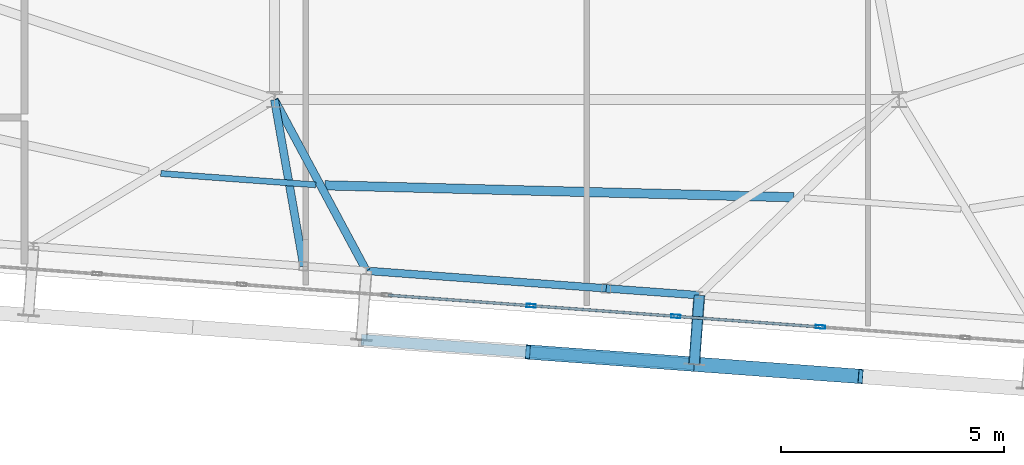
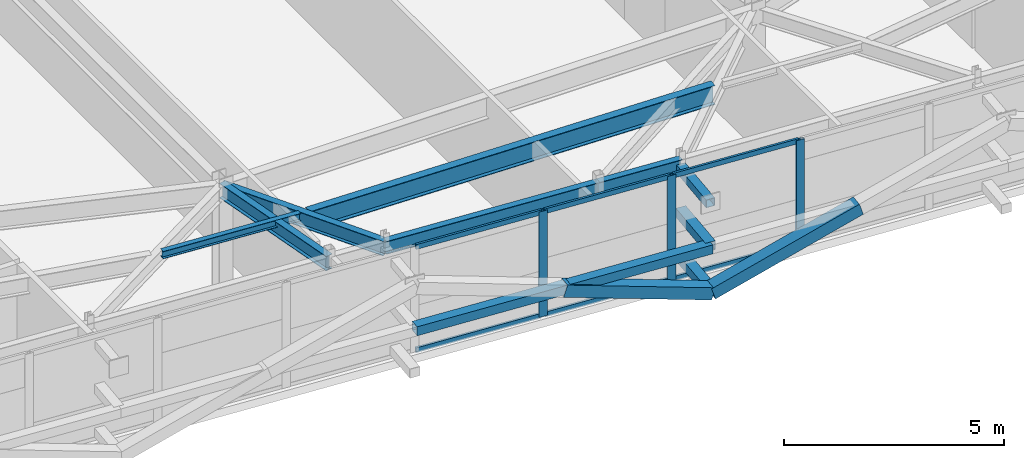
# One storey, part 13 of 42: 15 members, 6 beams, 1 element without a shape of its own.
"""IFC4 building model written with IfcOpenShell, lengths in metres."""

import ifcopenshell
import ifcopenshell.guid

model = None  # the IFC model being written
_history = None  # IfcOwnerHistory: only IFC2X3 demands one
_inside = {}  # id of a spatial element -> (the spatial element, [elements in it])
_under = {}  # id of a project, library or spatial element -> (it, [spatial elements below it])
_declared = {}  # id of a project -> (the project, [libraries it declares])
_typed = {}  # id of a type object -> (the type object, [elements of that type])
_made_of = {}  # id of a material, layer set ... -> (it, [elements and type objects made of it])


def new_model(schema):
    """Start an empty IFC model of exactly this schema.

    Asked for "IFC4X3", IfcOpenShell would pick the latest addendum, in which some entities
    have other attributes; the version numbers below select the first issue.
    IFC2X3 requires an IfcOwnerHistory on every rooted entity: one is made here for all.
    """
    global model, _history
    if schema == "IFC4X3":
        model = ifcopenshell.file(schema_version=(4, 3, 0, 0))
    else:
        model = ifcopenshell.file(schema=schema)
    _inside.clear()
    _under.clear()
    _declared.clear()
    _typed.clear()
    _made_of.clear()
    _history = None
    if model.schema == "IFC2X3":
        org = make("IfcOrganization", Name="unknown")
        user = make(
            "IfcPersonAndOrganization",
            ThePerson=make("IfcPerson", FamilyName="unknown"),
            TheOrganization=org,
        )
        app = make(
            "IfcApplication",
            ApplicationDeveloper=org,
            Version="unknown",
            ApplicationFullName="unknown",
            ApplicationIdentifier="unknown",
        )
        _history = make(
            "IfcOwnerHistory",
            OwningUser=user,
            OwningApplication=app,
            ChangeAction="ADDED",
            CreationDate=0,
        )
    return model


def make(cls, **values):
    """One entity of the class cls with the attributes given. An attribute that is None is left unset."""
    return model.create_entity(
        cls, **{name: value for name, value in values.items() if value is not None}
    )


def rooted(cls, **values):
    """An entity with a GlobalId (a new one), such as an element, a storey or a relation."""
    return make(cls, GlobalId=ifcopenshell.guid.new(), OwnerHistory=_history, **values)


def si_unit(unit_type, name, prefix=None):
    """IfcSIUnit, for example si_unit("LENGTHUNIT", "METRE", prefix="MILLI")."""
    return make("IfcSIUnit", UnitType=unit_type, Prefix=prefix, Name=name)


def assignment(units):
    """IfcUnitAssignment: the units of a project."""
    return None if units is None else make("IfcUnitAssignment", Units=units)


def point(xyz):
    """IfcCartesianPoint."""
    return None if xyz is None else make("IfcCartesianPoint", Coordinates=xyz)


def direction(xyz):
    """IfcDirection."""
    return None if xyz is None else make("IfcDirection", DirectionRatios=xyz)


def frame(location, z_axis=None, x_axis=None):
    """IfcAxis2Placement3D, a coordinate frame: its origin and axes. An axis left out is left unset."""
    return make(
        "IfcAxis2Placement3D",
        Location=point(location),
        Axis=direction(z_axis),
        RefDirection=direction(x_axis),
    )


def frame_2d(location, x_axis=None):
    """IfcAxis2Placement2D, a coordinate frame in the plane: its origin and x axis."""
    return make(
        "IfcAxis2Placement2D", Location=point(location), RefDirection=direction(x_axis)
    )


def origin():
    """The frame at (0, 0, 0) with its axes left unset."""
    return frame((0.0, 0.0, 0.0))


def origin_2d():
    """The frame at (0, 0) in the plane with its x axis left unset."""
    return frame_2d((0.0, 0.0))


def place(relative_to, where):
    """IfcLocalPlacement: puts the frame where relative to a parent placement (None: the world)."""
    return make(
        "IfcLocalPlacement", PlacementRelTo=relative_to, RelativePlacement=where
    )


def context(
    kind, dimensions, precision=None, world=None, true_north=None, identifier=None
):
    """IfcGeometricRepresentationContext, for example the 3D "Model" context."""
    return make(
        "IfcGeometricRepresentationContext",
        ContextIdentifier=identifier,
        ContextType=kind,
        CoordinateSpaceDimension=dimensions,
        Precision=precision,
        WorldCoordinateSystem=world,
        TrueNorth=true_north,
    )


def subcontext(parent, identifier, kind, view, scale=None):
    """IfcGeometricRepresentationSubContext, for example "Body" below "Model"."""
    return make(
        "IfcGeometricRepresentationSubContext",
        ContextIdentifier=identifier,
        ContextType=kind,
        ParentContext=parent,
        TargetScale=scale,
        TargetView=view,
    )


def project(units=None, contexts=None):
    """IfcProject with its units and contexts."""
    return rooted(
        "IfcProject",
        Name="project",
        RepresentationContexts=contexts,
        UnitsInContext=assignment(units),
    )


def spatial(cls, under=None, at=None, **own):
    """A site, building, storey or space (cls), placed at a placement, below another one or the project."""
    s = rooted(cls, ObjectPlacement=at, **own)
    if under is not None:
        _under.setdefault(under.id(), (under, []))[1].append(s)
    return s


def profile(cls, at=None, kind="AREA", **sizes):
    """A parametric profile (cls). Its sizes go by their IFC names, for example OverallWidth=200.0."""
    return make(cls, ProfileType=kind, Position=at, **sizes)


def hollow_rectangle(**sizes):
    """IfcRectangleHollowProfileDef."""
    return profile("IfcRectangleHollowProfileDef", **sizes)


def i_section(**sizes):
    """IfcIShapeProfileDef."""
    return profile("IfcIShapeProfileDef", **sizes)


def extrude(swept, where, along, depth):
    """IfcExtrudedAreaSolid: the profile swept, set in the frame where, extruded along a direction by depth."""
    return make(
        "IfcExtrudedAreaSolid",
        SweptArea=swept,
        Position=where,
        ExtrudedDirection=direction(along),
        Depth=depth,
    )


def shape(context_of_items, identifier, shape_type, items):
    """IfcShapeRepresentation: the items that make up one representation, for example the "Body"."""
    return make(
        "IfcShapeRepresentation",
        ContextOfItems=context_of_items,
        RepresentationIdentifier=identifier,
        RepresentationType=shape_type,
        Items=items,
    )


def source(mapping_origin, context_of_items, identifier, shape_type, items):
    """IfcRepresentationMap: a shape defined once, which mapped items show again and again."""
    return make(
        "IfcRepresentationMap",
        MappingOrigin=mapping_origin,
        MappedRepresentation=shape(context_of_items, identifier, shape_type, items),
    )


def transform(
    local_origin,
    x_axis=None,
    y_axis=None,
    z_axis=None,
    scale=None,
    scale2=None,
    scale3=None,
    uniform=True,
):
    """IfcCartesianTransformationOperator3D, or its non-uniform kind. x_axis, y_axis, z_axis: its Axis1, 2, 3."""
    if uniform:
        return make(
            "IfcCartesianTransformationOperator3D",
            Axis1=direction(x_axis),
            Axis2=direction(y_axis),
            LocalOrigin=point(local_origin),
            Scale=scale,
            Axis3=direction(z_axis),
        )
    return make(
        "IfcCartesianTransformationOperator3DnonUniform",
        Axis1=direction(x_axis),
        Axis2=direction(y_axis),
        LocalOrigin=point(local_origin),
        Scale=scale,
        Axis3=direction(z_axis),
        Scale2=scale2,
        Scale3=scale3,
    )


def mapped(mapping_source, mapping_target):
    """IfcMappedItem: shows the shape of a source again, moved by a transform."""
    return make(
        "IfcMappedItem", MappingSource=mapping_source, MappingTarget=mapping_target
    )


def material(Name=None, Category=None):
    """IfcMaterial."""
    return make("IfcMaterial", Name=Name, Category=Category)


def layer(
    of_material, thickness, ventilated=None, Name=None, Category=None, Priority=None
):
    """IfcMaterialLayer: one layer of a wall or slab, of a material (None: an air gap)."""
    return make(
        "IfcMaterialLayer",
        Material=of_material,
        LayerThickness=thickness,
        IsVentilated=ventilated,
        Name=Name,
        Category=Category,
        Priority=Priority,
    )


def layer_set(layers, Name=None):
    """IfcMaterialLayerSet."""
    return make("IfcMaterialLayerSet", MaterialLayers=layers, LayerSetName=Name)


def material_profile(
    of_material, cross_section, Name=None, Category=None, Priority=None
):
    """IfcMaterialProfile: a cross section and its material."""
    return make(
        "IfcMaterialProfile",
        Name=Name,
        Material=of_material,
        Profile=cross_section,
        Priority=Priority,
        Category=Category,
    )


def profile_set(profiles, Name=None, composite=None):
    """IfcMaterialProfileSet."""
    return make(
        "IfcMaterialProfileSet",
        Name=Name,
        MaterialProfiles=profiles,
        CompositeProfile=composite,
    )


def made_of(thing, what):
    """Note that an element or type object is made of a material, layer set ...; save() writes the relation."""
    if what is not None:
        _made_of.setdefault(what.id(), (what, []))[1].append(thing)
    return thing


def type_object(cls, material=None, **own):
    """A type object (cls), such as IfcWallType, which elements share."""
    return made_of(rooted(cls, **own), material)


def element(
    cls,
    number,
    at=None,
    inside=None,
    cuts=None,
    type_object=None,
    material=None,
    context=None,
    identifier="Body",
    shape_type=None,
    held_by="IfcProductDefinitionShape",
    body=None,
    shapes=None,
    **own,
):
    """One element of the class cls, such as IfcWall. Its Tag is "e" and its number.

    at: its placement. inside: the storey or other place that contains it. cuts: it is an
    opening in that element (IfcRelVoidsElement). A single representation is given by context,
    identifier, shape_type and body (its items); several are given by shapes. held_by: the class
    of the entity that holds the representations. save() writes the other relations.
    """
    e = rooted(cls, Tag="e%d" % number, ObjectPlacement=at, **own)
    if body is not None:
        shapes = [shape(context, identifier, shape_type, body)]
    if shapes is not None:
        e.Representation = make(held_by, Representations=shapes)
    if inside is not None:
        _inside.setdefault(inside.id(), (inside, []))[1].append(e)
    if cuts is not None:
        rooted(
            "IfcRelVoidsElement", RelatingBuildingElement=cuts, RelatedOpeningElement=e
        )
    if type_object is not None:
        _typed.setdefault(type_object.id(), (type_object, []))[1].append(e)
    return made_of(e, material)


def aggregate(whole, parts):
    """IfcRelAggregates: a whole, such as a stair, and the parts it consists of."""
    return rooted("IfcRelAggregates", RelatingObject=whole, RelatedObjects=parts)


def save(model, path):
    """Write the relations noted so far, then the file.

    IfcRelAggregates (storeys below a building ...), IfcRelContainedInSpatialStructure (elements
    in a storey), IfcRelDefinesByType, IfcRelAssociatesMaterial and IfcRelDeclares: one each for
    every whole, place, type object, material and project.
    """
    for whole, parts in _under.values():
        aggregate(whole, parts)
    for where, things in _inside.values():
        rooted(
            "IfcRelContainedInSpatialStructure",
            RelatedElements=things,
            RelatingStructure=where,
        )
    for kind, things in _typed.values():
        rooted("IfcRelDefinesByType", RelatedObjects=things, RelatingType=kind)
    for what, things in _made_of.values():
        rooted("IfcRelAssociatesMaterial", RelatedObjects=things, RelatingMaterial=what)
    for by, libraries in _declared.values():
        rooted("IfcRelDeclares", RelatingContext=by, RelatedDefinitions=libraries)
    model.write(path)


model = new_model("IFC4")

# Units and contexts
model_context = context("Model", 3, precision=1e-05, world=origin(), true_north=direction((0.0, 1.0)))
body_context = subcontext(model_context, "Body", "Model", "MODEL_VIEW")
ifc_project = project(units=[si_unit("LENGTHUNIT", "METRE"), si_unit("AREAUNIT", "SQUARE_METRE"), si_unit("VOLUMEUNIT", "CUBIC_METRE"), si_unit("PLANEANGLEUNIT", "RADIAN"), si_unit("MASSUNIT", "GRAM", prefix="KILO")], contexts=[model_context])

# Site, building, storey
site_placement = place(None, origin())
site = spatial("IfcSite", under=ifc_project, at=site_placement, CompositionType="ELEMENT")
building_placement = place(site_placement, origin())
building = spatial("IfcBuilding", under=site, at=building_placement, Name="Taldren Reach Tower", CompositionType="ELEMENT")
storey_placement = place(building_placement, frame((0.0, 0.0, 220.85009765625)))
storey = spatial("IfcBuildingStorey", under=building, at=storey_placement, Name="L67", CompositionType="ELEMENT", Elevation=220.85009765625)

# Members
ifc_material_1 = material(Name="Steel Gr 350 (C350L0)", Category="steel")
ifc_material_profile_1 = material_profile(ifc_material_1, hollow_rectangle(XDim=0.25, YDim=0.25, WallThickness=0.010009765625, at=origin_2d()), Name="250x250x10.0SHS")
ifc_profile_set_1 = profile_set([ifc_material_profile_1], Name="Steel Gr 350 (C350L0)")
member_type_1 = type_object("IfcMemberType", Name="MB-POST250", PredefinedType="POST", material=ifc_profile_set_1)
shared_shape_1 = source(origin(), body_context, "Body", "SweptSolid", [
    extrude(hollow_rectangle(XDim=0.25, YDim=0.25, WallThickness=0.010009765625, at=origin_2d()), origin(), (0.0, 0.0, 1.0), 1.550048828125),
])
for number, where, z_axis, x_axis, name in (
    (1, (37.5205078125, 4.81689453125, 0.219970703125), (-0.07323929162, -0.997314396849, 0.0), (0.997314396849, -0.07323929162, 0.0), "Exoskeleton base diaphragm tie strut B5-S4 L67"),
    (2, (37.5205078125, 4.81689453125, 1.434814453125), (-0.07323929162, -0.997314396849, 0.0), (0.997314396849, -0.07323929162, 0.0), "Exoskeleton mid-tier diaphragm tie B5-S4 L67"),
):
    element("IfcMember", number, at=place(storey_placement, frame(where, z_axis=z_axis, x_axis=x_axis)), inside=storey, type_object=member_type_1, Name=name, PredefinedType="POST", context=body_context, shape_type="MappedRepresentation", body=[
        mapped(shared_shape_1, transform((0.0, 0.0, 0.0), scale=1.0)),
    ])
ifc_material_2 = material(Name="Steel Gr 450 (C450L0)", Category="steel")
ifc_material_profile_2 = material_profile(ifc_material_2, hollow_rectangle(XDim=0.219970703125, YDim=0.219970703125, WallThickness=0.00830078125, at=origin_2d()), Name="220x220x8.2SHS")
ifc_profile_set_2 = profile_set([ifc_material_profile_2], Name="Steel Gr 450 (C450L0)")
member_type_2 = type_object("IfcMemberType", Name="MB-TIE219", PredefinedType="STRUT", material=ifc_profile_set_2)
shared_shape_2 = source(origin(), body_context, "Body", "SweptSolid", [
    extrude(hollow_rectangle(XDim=0.219970703125, YDim=0.219970703125, WallThickness=0.00830078125, at=origin_2d()), origin(), (0.0, 0.0, 1.0), 1.550048828125),
])
member_1_placement = place(storey_placement, frame((37.5205078125, 4.81689453125, 2.64990234375), z_axis=(-0.07323929162, -0.997314396849, 0.0), x_axis=(0.997314396849, -0.07323929162, 0.0)))
element("IfcMember", 3, at=member_1_placement, inside=storey, type_object=member_type_2, Name="Exoskeleton diaphragm tie strut B5-S4 L67", PredefinedType="STRUT", context=body_context, shape_type="MappedRepresentation", body=[
    mapped(shared_shape_2, transform((0.0, 0.0, 0.0), scale=1.0)),
])

# Beams
ifc_material_3 = material(Name="Steel Gr 350 (350PLUS)", Category="steel")
ifc_material_profile_3 = material_profile(ifc_material_3, i_section(OverallWidth=0.172119140625, OverallDepth=0.35888671875, WebThickness=0.008056640625, FlangeThickness=0.012939453125, at=origin_2d()), Name="360UB56.7")
ifc_profile_set_3 = profile_set([ifc_material_profile_3], Name="Steel Gr 350 (350PLUS)")
beam_type_1 = type_object("IfcBeamType", Name="SP-UB360", PredefinedType="SPANDREL", material=ifc_profile_set_3)
shared_shape_3 = source(origin(), body_context, "Body", "SweptSolid", [
    extrude(i_section(OverallWidth=0.172119140625, OverallDepth=0.35888671875, WebThickness=0.008056640625, FlangeThickness=0.012939453125, at=origin_2d()), origin(), (0.0, 0.0, 1.0), 5.389892578125),
])
beam_1_placement = place(storey_placement, frame((30.060546875, 5.364501953125, 2.75048828125), z_axis=(0.997314149177, -0.073242664148, 0.0), x_axis=(0.073242664148, 0.997314149177, 0.0)))
element("IfcBeam", 4, at=beam_1_placement, inside=storey, type_object=beam_type_1, Name="Perimeter spandrel B5 S3-PJ2 L67", PredefinedType="SPANDREL", context=body_context, shape_type="MappedRepresentation", body=[
    mapped(shared_shape_3, transform((0.0, 0.0, 0.0), scale=1.0)),
])
shared_shape_4 = source(origin(), body_context, "Body", "SweptSolid", [
    extrude(i_section(OverallWidth=0.172119140625, OverallDepth=0.35888671875, WebThickness=0.008056640625, FlangeThickness=0.012939453125, at=origin_2d()), origin(), (0.0, 0.0, 1.0), 2.090087890625),
])
beam_2_placement = place(storey_placement, frame((35.43603515625, 4.9697265625, 2.75048828125), z_axis=(0.997322930253, -0.073122997697, 0.0), x_axis=(0.073122997697, 0.997322930253, 0.0)))
element("IfcBeam", 5, at=beam_2_placement, inside=storey, type_object=beam_type_1, Name="Perimeter spandrel B5 PJ2-S4 L67", PredefinedType="SPANDREL", context=body_context, shape_type="MappedRepresentation", body=[
    mapped(shared_shape_4, transform((0.0, 0.0, 0.0), scale=1.0)),
])
ifc_material_profile_4 = material_profile(ifc_material_3, i_section(OverallWidth=0.177978515625, OverallDepth=0.406005859375, WebThickness=0.0078125, FlangeThickness=0.0126953125, at=origin_2d()), Name="410UB59.7")
ifc_profile_set_4 = profile_set([ifc_material_profile_4], Name="Steel Gr 350 (350PLUS)")
beam_type_2 = type_object("IfcBeamType", Name="BM-UB410", PredefinedType="BEAM", material=ifc_profile_set_4)
shared_shape_5 = source(origin(), body_context, "Body", "SweptSolid", [
    extrude(i_section(OverallWidth=0.177978515625, OverallDepth=0.406005859375, WebThickness=0.0078125, FlangeThickness=0.0126953125, at=origin_2d()), origin(), (0.0, 0.0, 1.0), 3.7890625),
])
beam_3_placement = place(storey_placement, frame((28.0, 9.199951171875, 2.726806640625), z_axis=(0.172678846321, -0.984978180486, 0.0), x_axis=(0.984978180486, 0.172678846321, 0.0)))
element("IfcBeam", 6, at=beam_3_placement, inside=storey, type_object=beam_type_2, Name="Primary floor girder B5-PJ1 L67", PredefinedType="BEAM", context=body_context, shape_type="MappedRepresentation", body=[
    mapped(shared_shape_5, transform((0.0, 0.0, 0.0), scale=1.0)),
])
shared_shape_6 = source(origin(), body_context, "Body", "SweptSolid", [
    extrude(i_section(OverallWidth=0.177978515625, OverallDepth=0.406005859375, WebThickness=0.0078125, FlangeThickness=0.0126953125, at=origin_2d()), origin(), (0.0, 0.0, 1.0), 4.35400390625),
])
beam_4_placement = place(storey_placement, frame((28.0, 9.199951171875, 2.726806640625), z_axis=(0.473263645364, -0.88092083752, 0.0), x_axis=(0.88092083752, 0.473263645364, 0.0)))
element("IfcBeam", 7, at=beam_4_placement, inside=storey, type_object=beam_type_2, Name="Primary floor girder B5-S3 L67", PredefinedType="BEAM", context=body_context, shape_type="MappedRepresentation", body=[
    mapped(shared_shape_6, transform((0.0, 0.0, 0.0), scale=1.0)),
])
ifc_material_4 = material(Name="Steel Gr 300 (300PLUS, 300 MPa)", Category="steel")
ifc_material_profile_5 = material_profile(ifc_material_4, i_section(OverallWidth=0.134033203125, OverallDepth=0.20703125, WebThickness=0.00634765625, FlangeThickness=0.009521484375, at=origin_2d()), Name="200UB29.8")
ifc_profile_set_5 = profile_set([ifc_material_profile_5], Name="Steel Gr 300 (300PLUS, 300 MPa)")
beam_type_3 = type_object("IfcBeamType", Name="JS-UB200", PredefinedType="JOIST", material=ifc_profile_set_5)
shared_shape_7 = source(origin(), body_context, "Body", "SweptSolid", [
    extrude(i_section(OverallWidth=0.134033203125, OverallDepth=0.20703125, WebThickness=0.00634765625, FlangeThickness=0.009521484375, at=origin_2d()), origin(), (0.0, 0.0, 1.0), 3.481201171875),
])
beam_5_placement = place(storey_placement, frame((25.453125, 7.544921875, 2.826416015625), z_axis=(0.997316141537, -0.073215529974, 0.0), x_axis=(0.073215529974, 0.997316141537, 0.0)))
element("IfcBeam", 8, at=beam_5_placement, inside=storey, type_object=beam_type_3, Name="Secondary floor joist B5 J2 L67", PredefinedType="JOIST", context=body_context, shape_type="MappedRepresentation", body=[
    mapped(shared_shape_7, transform((0.0, 0.0, 0.0), scale=1.0)),
])
ifc_material_profile_6 = material_profile(ifc_material_3, i_section(OverallWidth=0.208984375, OverallDepth=0.532958984375, WebThickness=0.01025390625, FlangeThickness=0.015625, at=origin_2d()), Name="530UB92.4")
ifc_profile_set_6 = profile_set([ifc_material_profile_6], Name="Steel Gr 350 (350PLUS)")
beam_type_4 = type_object("IfcBeamType", Name="BM-UB530A", PredefinedType="BEAM", material=ifc_profile_set_6)
shared_shape_8 = source(origin(), body_context, "Body", "SweptSolid", [
    extrude(i_section(OverallWidth=0.208984375, OverallDepth=0.532958984375, WebThickness=0.01025390625, FlangeThickness=0.015625, at=origin_2d()), origin(), (0.0, 0.0, 1.0), 10.507080078125),
])
beam_6_placement = place(storey_placement, frame((29.132568359375, 7.27978515625, 2.663330078125), z_axis=(0.999673899449, -0.025536146143, 0.0), x_axis=(0.025536146143, 0.999673899449, 0.0)))
element("IfcBeam", 9, at=beam_6_placement, inside=storey, type_object=beam_type_4, Name="Secondary floor beam B5 J3 L67", PredefinedType="BEAM", context=body_context, shape_type="MappedRepresentation", body=[
    mapped(shared_shape_8, transform((0.0, 0.0, 0.0), scale=1.0)),
])

# Members
ifc_material_profile_7 = material_profile(ifc_material_2, hollow_rectangle(XDim=0.324951171875, YDim=0.324951171875, WallThickness=0.0126953125, at=origin_2d()), Name="325x325x12.7SHS")
ifc_profile_set_7 = profile_set([ifc_material_profile_7], Name="Steel Gr 450 (C450L0)")
member_type_3 = type_object("IfcMemberType", Name="MB-BR324", PredefinedType="BRACE", material=ifc_profile_set_7)
shared_shape_9 = source(origin(), body_context, "Body", "SweptSolid", [
    extrude(hollow_rectangle(XDim=0.324951171875, YDim=0.324951171875, WallThickness=0.0126953125, at=origin_2d()), origin(), (0.0, 0.0, 1.0), 3.932373046875),
])
member_2_placement = place(storey_placement, frame((37.406982421875, 3.27099609375, 0.219970703125), z_axis=(-0.948529326954, 0.06965898055, 0.308933232813), x_axis=(-0.07324169103, -0.997314220642, 0.0)))
element("IfcMember", 10, at=member_2_placement, inside=storey, type_object=member_type_3, Name="Exoskeleton Diagrid Brace B5-S3 L67", PredefinedType="BRACE", context=body_context, shape_type="MappedRepresentation", body=[
    mapped(shared_shape_9, transform((0.0, 0.0, 0.0), scale=1.0)),
])
shared_shape_10 = source(origin(), body_context, "Body", "SweptSolid", [
    extrude(hollow_rectangle(XDim=0.25, YDim=0.25, WallThickness=0.010009765625, at=origin_2d()), origin(), (0.0, 0.0, 1.0), 7.47998046875),
])
member_3_placement = place(storey_placement, frame((29.947021484375, 3.81884765625, 1.434814453125), z_axis=(0.997314220642, -0.07324169103, 0.0), x_axis=(0.07324169103, 0.997314220642, 0.0)))
element("IfcMember", 11, at=member_3_placement, inside=storey, type_object=member_type_1, Name="Exoskeleton mid-height ring chord B5-S3 L67", PredefinedType="POST", context=body_context, shape_type="MappedRepresentation", body=[
    mapped(shared_shape_10, transform((0.0, 0.0, 0.0), scale=1.0)),
])
shared_shape_11 = source(origin(), body_context, "Body", "SweptSolid", [
    extrude(hollow_rectangle(XDim=0.324951171875, YDim=0.324951171875, WallThickness=0.0126953125, at=origin_2d()), origin(), (0.0, 0.0, 1.0), 3.93212890625),
])
member_4_placement = place(storey_placement, frame((37.406982421875, 3.27099609375, 0.219970703125), z_axis=(0.948523099803, -0.069663082934, 0.30895142663), x_axis=(0.073246459555, 0.997313870435, 0.0)))
element("IfcMember", 12, at=member_4_placement, inside=storey, type_object=member_type_3, Name="Exoskeleton Diagrid Brace B5-S4 L67", PredefinedType="BRACE", context=body_context, shape_type="MappedRepresentation", body=[
    mapped(shared_shape_11, transform((0.0, 0.0, 0.0), scale=1.0)),
])

# Curtain wall, members
ifc_material_5 = material(Name="Aluminium and Low-E Glass Unitised System", Category="aluminium")
ifc_layer = layer(ifc_material_5, 0.159912109375)
ifc_layer_set = layer_set([ifc_layer], Name="Aluminium and Low-E Glass Unitised System")
curtain_wall_type = type_object("IfcCurtainWallType", Name="CW-SYS-6", PredefinedType="NOTDEFINED", material=ifc_layer_set)
curtain_wall_placement = place(storey_placement, origin())
curtain_wall = element("IfcCurtainWall", 13, at=curtain_wall_placement, inside=storey, type_object=curtain_wall_type, Name="Unitised curtain wall CW-L67-S", PredefinedType="NOTDEFINED")
ifc_material_6 = material(Name="Anodised Aluminium 6063-T6", Category="aluminium")
ifc_material_profile_8 = material_profile(ifc_material_6, hollow_rectangle(XDim=0.074951171875, YDim=0.2099609375, WallThickness=0.00439453125, at=origin_2d()), Name="ALU-210x75x4.5RHS")
ifc_profile_set_8 = profile_set([ifc_material_profile_8], Name="Anodised Aluminium 6063-T6")
member_type_4 = type_object("IfcMemberType", Name="CW-MUL-200", PredefinedType="MULLION", material=ifc_profile_set_8)
shared_shape_12 = source(origin(), body_context, "Body", "SweptSolid", [
    extrude(hollow_rectangle(XDim=0.074951171875, YDim=0.2099609375, WallThickness=0.00439453125, at=origin_2d()), origin(), (0.0, 0.0, 1.0), 2.929931640625),
])
member_5_placement = place(storey_placement, frame((33.753173828125, 4.58203125, 0.0), z_axis=(0.0, 0.0, 1.0), x_axis=(0.073238213716, 0.997314476006, 0.0)))
member_5 = element("IfcMember", 14, at=member_5_placement, type_object=member_type_4, Name="CW-6 mullion 7", PredefinedType="MULLION", context=body_context, shape_type="MappedRepresentation", body=[
    mapped(shared_shape_12, transform((0.0, 0.0, 0.0), scale=1.0)),
])
member_6_placement = place(storey_placement, frame((36.994384765625, 4.343994140625, 0.0), z_axis=(0.0, 0.0, 1.0), x_axis=(0.073238213716, 0.997314476006, 0.0)))
member_6 = element("IfcMember", 15, at=member_6_placement, type_object=member_type_4, Name="CW-6 mullion 8", PredefinedType="MULLION", context=body_context, shape_type="MappedRepresentation", body=[
    mapped(shared_shape_12, transform((0.0, 0.0, 0.0), scale=1.0)),
])
member_7_placement = place(storey_placement, frame((40.235595703125, 4.10595703125, 0.0), z_axis=(0.0, 0.0, 1.0), x_axis=(0.073238213716, 0.997314476006, 0.0)))
member_7 = element("IfcMember", 16, at=member_7_placement, type_object=member_type_4, Name="CW-6 mullion 9", PredefinedType="MULLION", context=body_context, shape_type="MappedRepresentation", body=[
    mapped(shared_shape_12, transform((0.0, 0.0, 0.0), scale=1.0)),
])
ifc_material_profile_9 = material_profile(ifc_material_6, hollow_rectangle(XDim=0.06005859375, YDim=0.135009765625, WallThickness=0.00341796875, at=origin_2d()), Name="ALU-135x60x3.5RHS")
ifc_profile_set_9 = profile_set([ifc_material_profile_9], Name="Anodised Aluminium 6063-T6")
member_type_5 = type_object("IfcMemberType", Name="CW-TRN-150", PredefinedType="USERDEFINED", material=ifc_profile_set_9)
shared_shape_13 = source(origin(), body_context, "Body", "SweptSolid", [
    extrude(hollow_rectangle(XDim=0.06005859375, YDim=0.135009765625, WallThickness=0.00341796875, at=origin_2d()), origin(), (0.0, 0.0, 1.0), 3.1748046875),
])
member_8_placement = place(storey_placement, frame((30.54931640625, 4.8173828125, 0.02978515625), z_axis=(0.997311015151, -0.07328532635, 0.0), x_axis=(0.07328532635, 0.997311015151, 0.0)))
member_8 = element("IfcMember", 17, at=member_8_placement, type_object=member_type_5, Name="CW-6 transom 6.1", ObjectType="TRANSOM", PredefinedType="USERDEFINED", context=body_context, shape_type="MappedRepresentation", body=[
    mapped(shared_shape_13, transform((0.0, 0.0, 0.0), scale=1.0)),
])
member_9_placement = place(storey_placement, frame((30.54931640625, 4.8173828125, 2.89990234375), z_axis=(0.997311015151, -0.07328532635, 0.0), x_axis=(0.07328532635, 0.997311015151, 0.0)))
member_9 = element("IfcMember", 18, at=member_9_placement, type_object=member_type_5, Name="CW-6 transom 6.2", ObjectType="TRANSOM", PredefinedType="USERDEFINED", context=body_context, shape_type="MappedRepresentation", body=[
    mapped(shared_shape_13, transform((0.0, 0.0, 0.0), scale=1.0)),
])
shared_shape_14 = source(origin(), body_context, "Body", "SweptSolid", [
    extrude(hollow_rectangle(XDim=0.06005859375, YDim=0.135009765625, WallThickness=0.00341796875, at=origin_2d()), origin(), (0.0, 0.0, 1.0), 3.175048828125),
])
member_10_placement = place(storey_placement, frame((33.79052734375, 4.579345703125, 0.02978515625), z_axis=(0.997311428111, -0.073279706322, 0.0), x_axis=(0.073279706322, 0.997311428111, 0.0)))
member_10 = element("IfcMember", 19, at=member_10_placement, type_object=member_type_5, Name="CW-6 transom 7.1", ObjectType="TRANSOM", PredefinedType="USERDEFINED", context=body_context, shape_type="MappedRepresentation", body=[
    mapped(shared_shape_14, transform((0.0, 0.0, 0.0), scale=1.0)),
])
member_11_placement = place(storey_placement, frame((33.79052734375, 4.579345703125, 2.89990234375), z_axis=(0.997311428111, -0.073279706322, 0.0), x_axis=(0.073279706322, 0.997311428111, 0.0)))
member_11 = element("IfcMember", 20, at=member_11_placement, type_object=member_type_5, Name="CW-6 transom 7.2", ObjectType="TRANSOM", PredefinedType="USERDEFINED", context=body_context, shape_type="MappedRepresentation", body=[
    mapped(shared_shape_14, transform((0.0, 0.0, 0.0), scale=1.0)),
])
member_12_placement = place(storey_placement, frame((37.03173828125, 4.34130859375, 0.02978515625), z_axis=(0.997311428111, -0.073279706322, 0.0), x_axis=(0.073279706322, 0.997311428111, 0.0)))
member_12 = element("IfcMember", 21, at=member_12_placement, type_object=member_type_5, Name="CW-6 transom 8.1", ObjectType="TRANSOM", PredefinedType="USERDEFINED", context=body_context, shape_type="MappedRepresentation", body=[
    mapped(shared_shape_14, transform((0.0, 0.0, 0.0), scale=1.0)),
])
member_13_placement = place(storey_placement, frame((37.03173828125, 4.34130859375, 2.89990234375), z_axis=(0.997311428111, -0.073279706322, 0.0), x_axis=(0.073279706322, 0.997311428111, 0.0)))
member_13 = element("IfcMember", 22, at=member_13_placement, type_object=member_type_5, Name="CW-6 transom 8.2", ObjectType="TRANSOM", PredefinedType="USERDEFINED", context=body_context, shape_type="MappedRepresentation", body=[
    mapped(shared_shape_14, transform((0.0, 0.0, 0.0), scale=1.0)),
])
aggregate(curtain_wall, [member_5, member_6, member_7, member_8, member_9, member_10, member_11, member_12, member_13])

save(model, "model.ifc")
